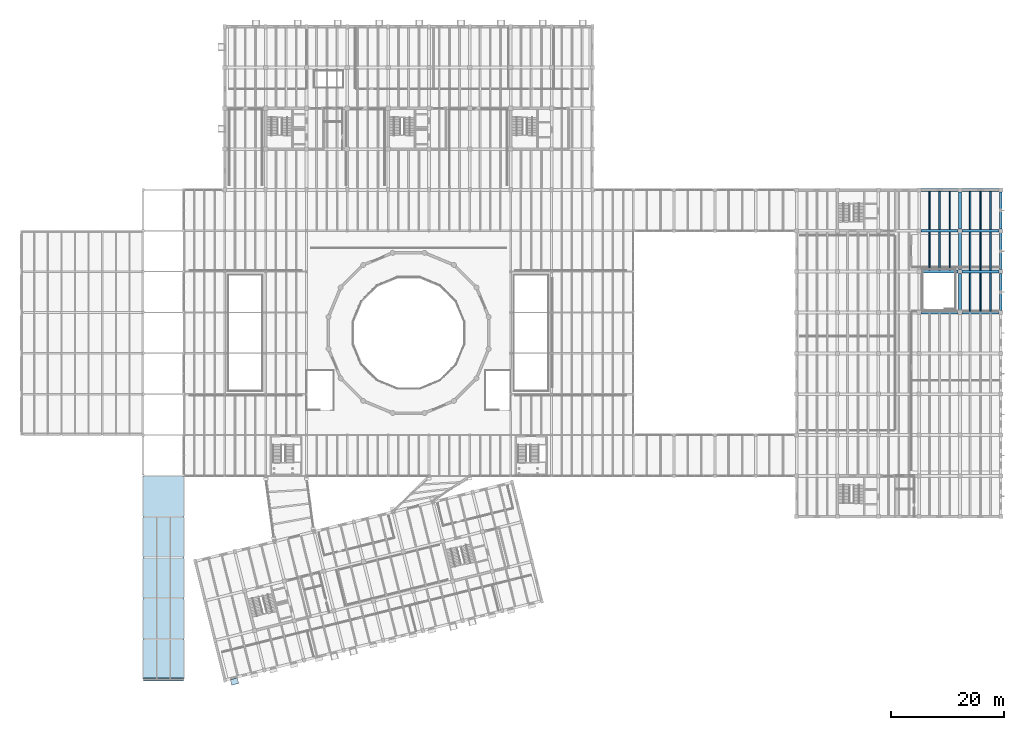
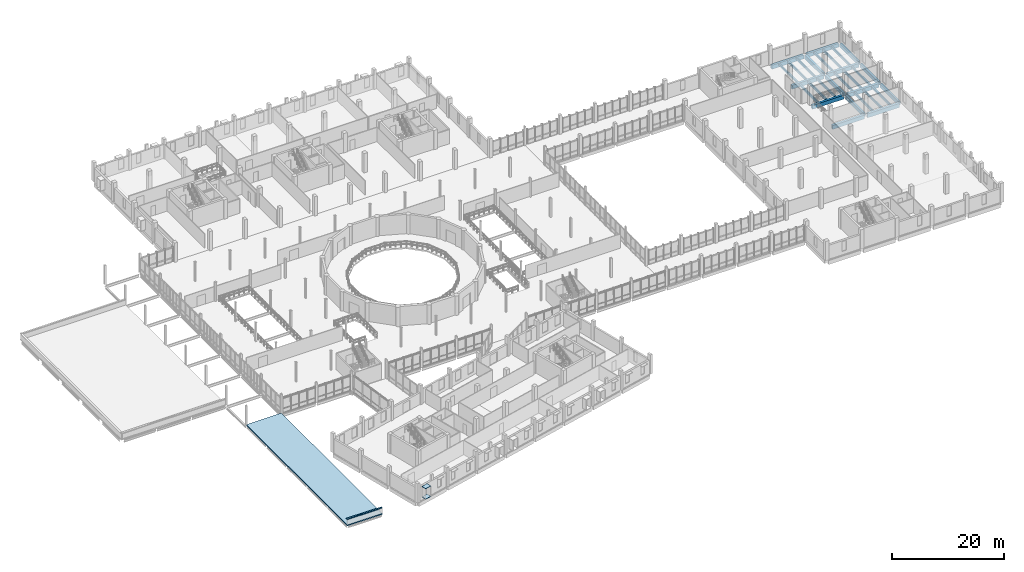
# One storey, part 42 of 72: 29 beams, 3 plates, 1 slab.
"""IFC4 building model written with IfcOpenShell, lengths in metres."""

from ifc_helpers import new_model, si_unit, direction, frame, frame_2d, origin, origin_2d, place, context, subcontext, project, spatial, polyline, rectangle, outline, extrude, material, layer, layer_set, material_profile, profile_set, type_object, element, save


model = new_model("IFC4")

# Units and contexts
model_context = context("Model", 3, precision=1e-05, world=origin(), true_north=direction((0.0, 1.0)))
body_context = subcontext(model_context, "Body", "Model", "MODEL_VIEW")
ifc_project = project(units=[si_unit("LENGTHUNIT", "METRE"), si_unit("AREAUNIT", "SQUARE_METRE"), si_unit("VOLUMEUNIT", "CUBIC_METRE"), si_unit("PLANEANGLEUNIT", "RADIAN"), si_unit("MASSUNIT", "GRAM", prefix="KILO")], contexts=[model_context])

# Site, building, storey
site_placement = place(None, origin())
site = spatial("IfcSite", under=ifc_project, at=site_placement, CompositionType="ELEMENT")
building_placement = place(site_placement, origin())
building = spatial("IfcBuilding", under=site, at=building_placement, Name="Qiaolan Assembly House", CompositionType="ELEMENT")
storey_placement = place(building_placement, frame((0.0, 0.0, 10.199951171875)))
storey = spatial("IfcBuildingStorey", under=building, at=storey_placement, Name="L02", CompositionType="ELEMENT", Elevation=10.199951171875)

# Beams
ifc_material_1 = material(Name="Concrete C40/50", Category="concrete")
ifc_material_profile_1 = material_profile(ifc_material_1, rectangle(XDim=0.449951171875, YDim=0.800048828125, at=origin_2d()), Name="RCB 450x800")
ifc_profile_set_1 = profile_set([ifc_material_profile_1], Name="Concrete C40/50")
beam_type_1 = type_object("IfcBeamType", Name="BM-RC-450x800", PredefinedType="BEAM", material=ifc_profile_set_1)
for number, where, z_axis, x_axis, name in (
    (1, (165.60009765625, 65.139892578125, -0.669921875), (0.0, 1.0, 0.0), (-1.0, 0.0, 0.0), "GB-03 beam BMY-LB-L02-04-05"),
    (2, (165.60009765625, 72.340087890625, -0.669921875), (0.0, 1.0, 0.0), (-1.0, 0.0, 0.0), "GB-03 beam BMY-LB-L02-04-06"),
    (3, (165.60009765625, 79.5400390625, -0.669921875), (0.0, 1.0, 0.0), (-1.0, 0.0, 0.0), "GB-03 beam BMY-LB-L02-04-07"),
    (4, (172.800048828125, 65.139892578125, -0.669921875), (0.0, 1.0, 0.0), (-1.0, 0.0, 0.0), "GB-03 beam BMY-LB-L02-05-05"),
    (5, (172.800048828125, 72.340087890625, -0.669921875), (0.0, 1.0, 0.0), (-1.0, 0.0, 0.0), "GB-03 beam BMY-LB-L02-05-06"),
    (6, (172.800048828125, 79.5400390625, -0.669921875), (0.0, 1.0, 0.0), (-1.0, 0.0, 0.0), "GB-03 beam BMY-LB-L02-05-07"),
):
    element("IfcBeam", number, at=place(storey_placement, frame(where, z_axis=z_axis, x_axis=x_axis)), inside=storey, type_object=beam_type_1, Name=name, PredefinedType="BEAM", context=body_context, shape_type="SweptSolid", body=[
        extrude(rectangle(XDim=0.449951171875, YDim=0.800048828125, at=origin_2d()), origin(), (0.0, 0.0, 1.0), 6.52001953125),
    ])
ifc_material_2 = material(Name="Concrete C45/55", Category="concrete")
ifc_material_profile_2 = material_profile(ifc_material_2, rectangle(XDim=0.5, YDim=0.85009765625, at=origin_2d()), Name="RCB 500x850")
ifc_profile_set_2 = profile_set([ifc_material_profile_2], Name="Concrete C45/55")
beam_type_2 = type_object("IfcBeamType", Name="BM-RC-500x850", PredefinedType="BEAM", material=ifc_profile_set_2)
for number, where, z_axis, x_axis, name in (
    (7, (158.739990234375, 64.800048828125, -0.695068359375), (1.0, 0.0, 0.0), (0.0, 1.0, 0.0), "GB-02 beam BMX-LB-L02-03-05"),
    (8, (165.93994140625, 64.800048828125, -0.695068359375), (1.0, 0.0, 0.0), (0.0, 1.0, 0.0), "GB-02 beam BMX-LB-L02-04-05"),
    (9, (158.739990234375, 72.0, -0.695068359375), (1.0, 0.0, 0.0), (0.0, 1.0, 0.0), "GB-02 beam BMX-LB-L02-03-06"),
    (10, (165.93994140625, 72.0, -0.695068359375), (1.0, 0.0, 0.0), (0.0, 1.0, 0.0), "GB-02 beam BMX-LB-L02-04-06"),
    (11, (158.739990234375, 79.199951171875, -0.695068359375), (1.0, 0.0, 0.0), (0.0, 1.0, 0.0), "GB-02 beam BMX-LB-L02-03-07"),
    (12, (165.93994140625, 79.199951171875, -0.695068359375), (1.0, 0.0, 0.0), (0.0, 1.0, 0.0), "GB-02 beam BMX-LB-L02-04-07"),
    (13, (158.739990234375, 86.39990234375, -0.695068359375), (1.0, 0.0, 0.0), (0.0, 1.0, 0.0), "GB-02 beam BMX-LB-L02-03-08"),
    (14, (165.93994140625, 86.39990234375, -0.695068359375), (1.0, 0.0, 0.0), (0.0, 1.0, 0.0), "GB-02 beam BMX-LB-L02-04-08"),
):
    element("IfcBeam", number, at=place(storey_placement, frame(where, z_axis=z_axis, x_axis=x_axis)), inside=storey, type_object=beam_type_2, Name=name, PredefinedType="BEAM", context=body_context, shape_type="SweptSolid", body=[
        extrude(rectangle(XDim=0.5, YDim=0.85009765625, at=origin_2d()), origin(), (0.0, 0.0, 1.0), 6.52001953125),
    ])
ifc_material_profile_3 = material_profile(ifc_material_1, rectangle(XDim=0.25, YDim=0.5, at=origin_2d()), Name="RCB 250x500")
ifc_profile_set_3 = profile_set([ifc_material_profile_3], Name="Concrete C40/50")
beam_type_3 = type_object("IfcBeamType", Name="JST-RC-250x500", PredefinedType="JOIST", material=ifc_profile_set_3)
for number, where, z_axis, x_axis, name in (
    (15, (160.199951171875, 72.243896484375, -0.52001953125), (0.0, 1.0, 0.0), (-1.0, 0.0, 0.0), "RJ-01 beam JST-LB-L02-03-06-1"),
    (16, (162.0, 72.243896484375, -0.52001953125), (0.0, 1.0, 0.0), (-1.0, 0.0, 0.0), "RJ-01 beam JST-LB-L02-03-06-2"),
    (17, (163.800048828125, 72.243896484375, -0.52001953125), (0.0, 1.0, 0.0), (-1.0, 0.0, 0.0), "RJ-01 beam JST-LB-L02-03-06-3"),
):
    element("IfcBeam", number, at=place(storey_placement, frame(where, z_axis=z_axis, x_axis=x_axis)), inside=storey, type_object=beam_type_3, Name=name, PredefinedType="JOIST", context=body_context, shape_type="SweptSolid", body=[
        extrude(rectangle(XDim=0.25, YDim=0.5, at=origin_2d()), origin(), (0.0, 0.0, 1.0), 6.712158203125),
    ])
for number, where, z_axis, x_axis, name in (
    (18, (160.199951171875, 79.444091796875, -0.52001953125), (0.0, 1.0, 0.0), (-1.0, 0.0, 0.0), "RJ-01 beam JST-LB-L02-03-07-1"),
    (19, (162.0, 79.444091796875, -0.52001953125), (0.0, 1.0, 0.0), (-1.0, 0.0, 0.0), "RJ-01 beam JST-LB-L02-03-07-2"),
    (20, (163.800048828125, 79.444091796875, -0.52001953125), (0.0, 1.0, 0.0), (-1.0, 0.0, 0.0), "RJ-01 beam JST-LB-L02-03-07-3"),
):
    element("IfcBeam", number, at=place(storey_placement, frame(where, z_axis=z_axis, x_axis=x_axis)), inside=storey, type_object=beam_type_3, Name=name, PredefinedType="JOIST", context=body_context, shape_type="SweptSolid", body=[
        extrude(rectangle(XDim=0.25, YDim=0.5, at=origin_2d()), origin(), (0.0, 0.0, 1.0), 6.7119140625),
    ])
for number, where, z_axis, x_axis, name in (
    (21, (167.39990234375, 65.0439453125, -0.52001953125), (0.0, 1.0, 0.0), (-1.0, 0.0, 0.0), "RJ-01 beam JST-LB-L02-04-05-1"),
    (22, (169.199951171875, 65.0439453125, -0.52001953125), (0.0, 1.0, 0.0), (-1.0, 0.0, 0.0), "RJ-01 beam JST-LB-L02-04-05-2"),
    (23, (171.0, 65.0439453125, -0.52001953125), (0.0, 1.0, 0.0), (-1.0, 0.0, 0.0), "RJ-01 beam JST-LB-L02-04-05-3"),
    (24, (167.39990234375, 72.243896484375, -0.52001953125), (0.0, 1.0, 0.0), (-1.0, 0.0, 0.0), "RJ-01 beam JST-LB-L02-04-06-1"),
    (25, (169.199951171875, 72.243896484375, -0.52001953125), (0.0, 1.0, 0.0), (-1.0, 0.0, 0.0), "RJ-01 beam JST-LB-L02-04-06-2"),
    (26, (171.0, 72.243896484375, -0.52001953125), (0.0, 1.0, 0.0), (-1.0, 0.0, 0.0), "RJ-01 beam JST-LB-L02-04-06-3"),
):
    element("IfcBeam", number, at=place(storey_placement, frame(where, z_axis=z_axis, x_axis=x_axis)), inside=storey, type_object=beam_type_3, Name=name, PredefinedType="JOIST", context=body_context, shape_type="SweptSolid", body=[
        extrude(rectangle(XDim=0.25, YDim=0.5, at=origin_2d()), origin(), (0.0, 0.0, 1.0), 6.712158203125),
    ])
for number, where, z_axis, x_axis, name in (
    (27, (167.39990234375, 79.444091796875, -0.52001953125), (0.0, 1.0, 0.0), (-1.0, 0.0, 0.0), "RJ-01 beam JST-LB-L02-04-07-1"),
    (28, (169.199951171875, 79.444091796875, -0.52001953125), (0.0, 1.0, 0.0), (-1.0, 0.0, 0.0), "RJ-01 beam JST-LB-L02-04-07-2"),
    (29, (171.0, 79.444091796875, -0.52001953125), (0.0, 1.0, 0.0), (-1.0, 0.0, 0.0), "RJ-01 beam JST-LB-L02-04-07-3"),
):
    element("IfcBeam", number, at=place(storey_placement, frame(where, z_axis=z_axis, x_axis=x_axis)), inside=storey, type_object=beam_type_3, Name=name, PredefinedType="JOIST", context=body_context, shape_type="SweptSolid", body=[
        extrude(rectangle(XDim=0.25, YDim=0.5, at=origin_2d()), origin(), (0.0, 0.0, 1.0), 6.7119140625),
    ])

# Plates
ifc_material_3 = material(Name="Honed pale limestone", Category="masonry")
ifc_layer_1 = layer(ifc_material_3, 0.074951171875)
ifc_layer_set_1 = layer_set([ifc_layer_1], Name="Honed pale limestone")
plate_type_1 = type_object("IfcPlateType", Name="PLT-COPING-STONE-380", PredefinedType="SHEET", material=ifc_layer_set_1)
plate_placement = place(storey_placement, frame((21.60009765625, 0.14990234375, 1.199951171875), z_axis=(0.0, 0.0, 1.0), x_axis=(1.0, 0.0, 0.0)))
element("IfcPlate", 30, at=plate_placement, inside=storey, type_object=plate_type_1, Name="CP-01 carved limestone parapet coping PAR-PASS-S", PredefinedType="SHEET", context=body_context, shape_type="SweptSolid", body=[
    extrude(rectangle(XDim=7.199951171875, YDim=0.3798828125, at=frame_2d((3.60009765625, 0.0))), origin(), (0.0, 0.0, 1.0), 0.0751953125),
])
ifc_layer_2 = layer(ifc_material_3, 0.080078125)
ifc_layer_set_2 = layer_set([ifc_layer_2], Name="Honed pale limestone")
plate_type_2 = type_object("IfcPlateType", Name="PLT-WINBOX-SURROUND", PredefinedType="SHEET", material=ifc_layer_set_2)
for number, where, name in (
    (31, (0.0, 0.0, 0.6201171875), "WB-01 projecting limestone window-box sill SES-L02-00-0"),
    (32, (0.0, 0.0, 2.89013671875), "WB-01 projecting limestone window-box hood SES-L02-00-0"),
):
    element("IfcPlate", number, at=place(storey_placement, frame(where)), inside=storey, type_object=plate_type_2, Name=name, PredefinedType="SHEET", context=body_context, shape_type="SweptSolid", body=[
        extrude(outline(polyline([(37.217041015625, -0.89208984375), (38.44921875, -0.5849609375), (38.207275390625, 0.385498046875), (36.97509765625, 0.078125), (37.217041015625, -0.89208984375)])), origin(), (0.0, 0.0, 1.0), 0.079833984375),
    ])

# Slab
ifc_layer_3 = layer(ifc_material_1, 0.22509765625)
ifc_layer_set_3 = layer_set([ifc_layer_3], Name="Concrete C40/50")
slab_type = type_object("IfcSlabType", Name="SLB-ROOF-PORTICO-225", PredefinedType="ROOF", material=ifc_layer_set_3)
slab_placement = place(storey_placement, frame((0.0, 0.0, -0.224853515625)))
element("IfcSlab", 33, at=slab_placement, inside=storey, type_object=slab_type, Name="RS-03 South Covered Passage Canopy Roof Slab", PredefinedType="ROOF", context=body_context, shape_type="SweptSolid", body=[
    extrude(outline(polyline([(21.60009765625, 0.0), (28.800048828125, 0.0), (28.800048828125, 36.0), (21.60009765625, 36.0), (21.60009765625, 0.0)])), origin(), (0.0, 0.0, 1.0), 0.224853515625),
])

save(model, "model.ifc")
